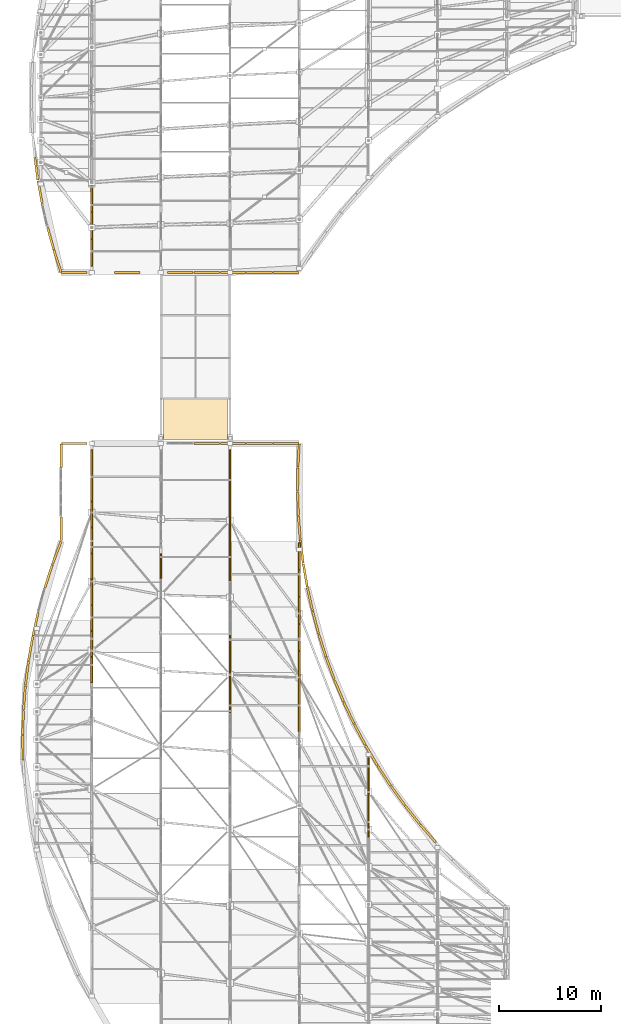
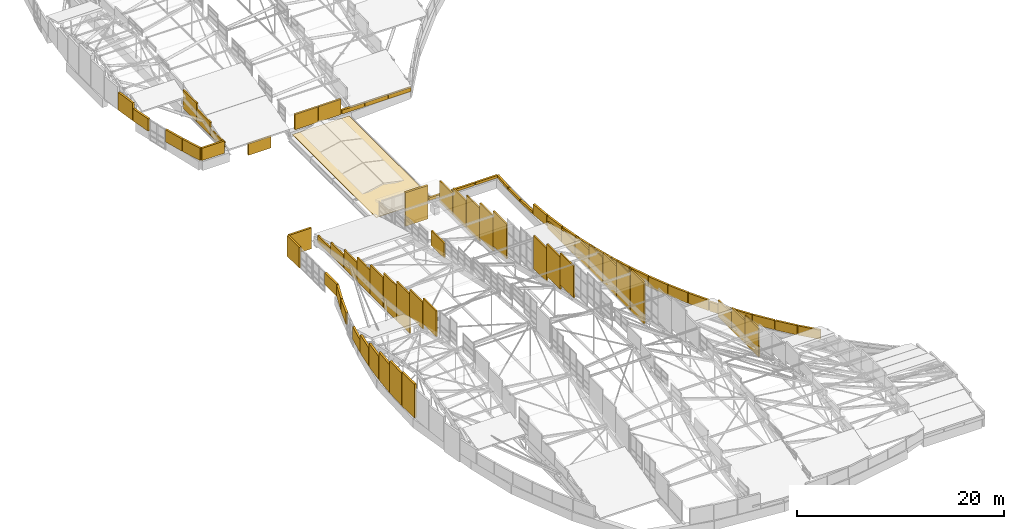
# One storey, part 182 of 188: 76 coverings.
"""IFC4 building model written with IfcOpenShell, lengths in metres."""

from ifc_helpers import new_model, si_unit, direction, frame, origin, origin_2d, place, context, subcontext, project, spatial, polyline, rectangle, outline, extrude, material, layer, layer_set, type_object, element, save


model = new_model("IFC4")

# Units and contexts
model_context = context("Model", 3, precision=1e-05, world=origin(), true_north=direction((0.0, 1.0)))
body_context = subcontext(model_context, "Body", "Model", "MODEL_VIEW")
ifc_project = project(units=[si_unit("LENGTHUNIT", "METRE"), si_unit("AREAUNIT", "SQUARE_METRE"), si_unit("VOLUMEUNIT", "CUBIC_METRE"), si_unit("PLANEANGLEUNIT", "RADIAN"), si_unit("MASSUNIT", "GRAM", prefix="KILO")], contexts=[model_context])

# Site, building, storey
site_placement = place(None, origin())
site = spatial("IfcSite", under=ifc_project, at=site_placement, CompositionType="ELEMENT")
building_placement = place(site_placement, origin())
building = spatial("IfcBuilding", under=site, at=building_placement, Name="Kisaragi Civic Commons", CompositionType="ELEMENT")
storey_placement = place(building_placement, frame((0.0, 0.0, 9.60009765625)))
storey = spatial("IfcBuildingStorey", under=building, at=storey_placement, Name="L02", CompositionType="ELEMENT", Elevation=9.60009765625)

# Coverings
ifc_material_1 = material(Name="Extruded Tokoname terracotta rainscreen tile", Category="masonry")
ifc_layer_1 = layer(ifc_material_1, 0.0400390625, Name="Extruded Tokoname terracotta rainscreen tile", Category="masonry")
ifc_layer_set_1 = layer_set([ifc_layer_1], Name="Extruded Tokoname terracotta rainscreen tile")
covering_type_1 = type_object("IfcCoveringType", Name="CLD-01", PredefinedType="CLADDING", material=ifc_layer_set_1)
covering_1_placement = place(storey_placement, frame((6.800048828125, 40.147216796875, 2.28466796875), z_axis=(0.0, 0.0, 1.0), x_axis=(0.0, 1.0, 0.0)))
element("IfcCovering", 1, at=covering_1_placement, inside=storey, type_object=covering_type_1, Name="V1 L02 wave-step terracotta tympanum cladding 9", PredefinedType="CLADDING", context=body_context, shape_type="SweptSolid", body=[
    extrude(rectangle(XDim=2.52001953125, YDim=0.159912109375, at=origin_2d()), origin(), (0.0, 0.0, 1.0), 3.014404296875),
])
covering_2_placement = place(storey_placement, frame((6.800048828125, 42.691162109375, 1.63330078125), z_axis=(0.0, 0.0, 1.0), x_axis=(0.0, 1.0, 0.0)))
element("IfcCovering", 2, at=covering_2_placement, inside=storey, type_object=covering_type_1, Name="V1 L02 wave-step terracotta tympanum cladding 10", PredefinedType="CLADDING", context=body_context, shape_type="SweptSolid", body=[
    extrude(rectangle(XDim=2.52001953125, YDim=0.159912109375, at=origin_2d()), origin(), (0.0, 0.0, 1.0), 3.148193359375),
])
covering_3_placement = place(storey_placement, frame((6.800048828125, 45.23486328125, -0.419921875), z_axis=(0.0, 0.0, 1.0), x_axis=(0.0, 1.0, 0.0)))
element("IfcCovering", 3, at=covering_3_placement, inside=storey, type_object=covering_type_1, Name="V1 L02 wave-step terracotta tympanum cladding 11", PredefinedType="CLADDING", context=body_context, shape_type="SweptSolid", body=[
    extrude(rectangle(XDim=2.519775390625, YDim=0.159912109375, at=origin_2d()), origin(), (0.0, 0.0, 1.0), 4.637451171875),
])
covering_4_placement = place(storey_placement, frame((6.800048828125, 47.77880859375, -0.419921875), z_axis=(0.0, 0.0, 1.0), x_axis=(0.0, 1.0, 0.0)))
element("IfcCovering", 4, at=covering_4_placement, inside=storey, type_object=covering_type_1, Name="V1 L02 wave-step terracotta tympanum cladding 12", PredefinedType="CLADDING", context=body_context, shape_type="SweptSolid", body=[
    extrude(rectangle(XDim=2.52001953125, YDim=0.159912109375, at=origin_2d()), origin(), (0.0, 0.0, 1.0), 4.073486328125),
])
covering_5_placement = place(storey_placement, frame((6.800048828125, 50.322509765625, -0.419921875), z_axis=(0.0, 0.0, 1.0), x_axis=(0.0, 1.0, 0.0)))
element("IfcCovering", 5, at=covering_5_placement, inside=storey, type_object=covering_type_1, Name="V1 L02 wave-step terracotta tympanum cladding 13", PredefinedType="CLADDING", context=body_context, shape_type="SweptSolid", body=[
    extrude(rectangle(XDim=2.519775390625, YDim=0.159912109375, at=origin_2d()), origin(), (0.0, 0.0, 1.0), 3.466064453125),
])
covering_6_placement = place(storey_placement, frame((6.800048828125, 52.866455078125, -0.419921875), z_axis=(0.0, 0.0, 1.0), x_axis=(0.0, 1.0, 0.0)))
element("IfcCovering", 6, at=covering_6_placement, inside=storey, type_object=covering_type_1, Name="V1 L02 wave-step terracotta tympanum cladding 14", PredefinedType="CLADDING", context=body_context, shape_type="SweptSolid", body=[
    extrude(rectangle(XDim=2.52001953125, YDim=0.159912109375, at=origin_2d()), origin(), (0.0, 0.0, 1.0), 2.831787109375),
])
covering_7_placement = place(storey_placement, frame((6.800048828125, 55.410400390625, -0.419921875), z_axis=(0.0, 0.0, 1.0), x_axis=(0.0, 1.0, 0.0)))
element("IfcCovering", 7, at=covering_7_placement, inside=storey, type_object=covering_type_1, Name="V1 L02 wave-step terracotta tympanum cladding 15", PredefinedType="CLADDING", context=body_context, shape_type="SweptSolid", body=[
    extrude(rectangle(XDim=2.52001953125, YDim=0.159912109375, at=origin_2d()), origin(), (0.0, 0.0, 1.0), 2.197509765625),
])
covering_8_placement = place(storey_placement, frame((6.800048828125, 57.9541015625, -0.419921875), z_axis=(0.0, 0.0, 1.0), x_axis=(0.0, 1.0, 0.0)))
element("IfcCovering", 8, at=covering_8_placement, inside=storey, type_object=covering_type_1, Name="V1 L02 wave-step terracotta tympanum cladding 16", PredefinedType="CLADDING", context=body_context, shape_type="SweptSolid", body=[
    extrude(rectangle(XDim=2.519775390625, YDim=0.159912109375, at=origin_2d()), origin(), (0.0, 0.0, 1.0), 1.499267578125),
])
covering_9_placement = place(storey_placement, frame((6.800048828125, 60.498046875, -0.420166015625), z_axis=(0.0, 0.0, 1.0), x_axis=(0.0, 1.0, 0.0)))
element("IfcCovering", 9, at=covering_9_placement, inside=storey, type_object=covering_type_1, Name="V1 L02 wave-step terracotta tympanum cladding 17", PredefinedType="CLADDING", context=body_context, shape_type="SweptSolid", body=[
    extrude(rectangle(XDim=2.52001953125, YDim=0.159912109375, at=origin_2d()), origin(), (0.0, 0.0, 1.0), 0.7939453125),
])
covering_10_placement = place(storey_placement, frame((13.60009765625, 50.319580078125, 2.98681640625), z_axis=(0.0, 0.0, 1.0), x_axis=(0.0, 1.0, 0.0)))
element("IfcCovering", 10, at=covering_10_placement, inside=storey, type_object=covering_type_1, Name="V1 L02 wave-step terracotta tympanum cladding 24", PredefinedType="CLADDING", context=body_context, shape_type="SweptSolid", body=[
    extrude(rectangle(XDim=2.5205078125, YDim=0.159912109375, at=origin_2d()), origin(), (0.0, 0.0, 1.0), 1.74365234375),
])
covering_11_placement = place(storey_placement, frame((20.39990234375, 37.16064453125, 3.927734375), z_axis=(0.0, 0.0, 1.0), x_axis=(0.0, 1.0, 0.0)))
element("IfcCovering", 11, at=covering_11_placement, inside=storey, type_object=covering_type_1, Name="V1 L02 wave-step terracotta tympanum cladding 29", PredefinedType="CLADDING", context=body_context, shape_type="SweptSolid", body=[
    extrude(rectangle(XDim=2.56640625, YDim=0.159912109375, at=origin_2d()), origin(), (0.0, 0.0, 1.0), 3.725341796875),
])
covering_12_placement = place(storey_placement, frame((20.39990234375, 39.7509765625, 3.35302734375), z_axis=(0.0, 0.0, 1.0), x_axis=(0.0, 1.0, 0.0)))
element("IfcCovering", 12, at=covering_12_placement, inside=storey, type_object=covering_type_1, Name="V1 L02 wave-step terracotta tympanum cladding 30", PredefinedType="CLADDING", context=body_context, shape_type="SweptSolid", body=[
    extrude(rectangle(XDim=2.56640625, YDim=0.159912109375, at=origin_2d()), origin(), (0.0, 0.0, 1.0), 3.796142578125),
])
covering_13_placement = place(storey_placement, frame((20.39990234375, 42.341552734375, 2.7109375), z_axis=(0.0, 0.0, 1.0), x_axis=(0.0, 1.0, 0.0)))
element("IfcCovering", 13, at=covering_13_placement, inside=storey, type_object=covering_type_1, Name="V1 L02 wave-step terracotta tympanum cladding 31", PredefinedType="CLADDING", context=body_context, shape_type="SweptSolid", body=[
    extrude(rectangle(XDim=2.56640625, YDim=0.159912109375, at=origin_2d()), origin(), (0.0, 0.0, 1.0), 3.86767578125),
])
covering_14_placement = place(storey_placement, frame((20.39990234375, 50.11279296875, 0.66748046875), z_axis=(0.0, 0.0, 1.0), x_axis=(0.0, 1.0, 0.0)))
element("IfcCovering", 14, at=covering_14_placement, inside=storey, type_object=covering_type_1, Name="V1 L02 wave-step terracotta tympanum cladding 32", PredefinedType="CLADDING", context=body_context, shape_type="SweptSolid", body=[
    extrude(rectangle(XDim=2.56640625, YDim=0.159912109375, at=origin_2d()), origin(), (0.0, 0.0, 1.0), 4.114501953125),
])
covering_15_placement = place(storey_placement, frame((20.39990234375, 52.703369140625, 0.0048828125), z_axis=(0.0, 0.0, 1.0), x_axis=(0.0, 1.0, 0.0)))
element("IfcCovering", 15, at=covering_15_placement, inside=storey, type_object=covering_type_1, Name="V1 L02 wave-step terracotta tympanum cladding 33", PredefinedType="CLADDING", context=body_context, shape_type="SweptSolid", body=[
    extrude(rectangle(XDim=2.56640625, YDim=0.159912109375, at=origin_2d()), origin(), (0.0, 0.0, 1.0), 4.131103515625),
])
covering_16_placement = place(storey_placement, frame((20.39990234375, 55.293701171875, -0.420166015625), z_axis=(0.0, 0.0, 1.0), x_axis=(0.0, 1.0, 0.0)))
element("IfcCovering", 16, at=covering_16_placement, inside=storey, type_object=covering_type_1, Name="V1 L02 wave-step terracotta tympanum cladding 34", PredefinedType="CLADDING", context=body_context, shape_type="SweptSolid", body=[
    extrude(rectangle(XDim=2.56640625, YDim=0.159912109375, at=origin_2d()), origin(), (0.0, 0.0, 1.0), 3.90234375),
])
covering_17_placement = place(storey_placement, frame((20.39990234375, 57.88427734375, -0.420166015625), z_axis=(0.0, 0.0, 1.0), x_axis=(0.0, 1.0, 0.0)))
element("IfcCovering", 17, at=covering_17_placement, inside=storey, type_object=covering_type_1, Name="V1 L02 wave-step terracotta tympanum cladding 35", PredefinedType="CLADDING", context=body_context, shape_type="SweptSolid", body=[
    extrude(rectangle(XDim=2.56640625, YDim=0.159912109375, at=origin_2d()), origin(), (0.0, 0.0, 1.0), 3.18408203125),
])
covering_18_placement = place(storey_placement, frame((20.39990234375, 60.474853515625, -0.419921875), z_axis=(0.0, 0.0, 1.0), x_axis=(0.0, 1.0, 0.0)))
element("IfcCovering", 18, at=covering_18_placement, inside=storey, type_object=covering_type_1, Name="V1 L02 wave-step terracotta tympanum cladding 36", PredefinedType="CLADDING", context=body_context, shape_type="SweptSolid", body=[
    extrude(rectangle(XDim=2.56640625, YDim=0.159912109375, at=origin_2d()), origin(), (0.0, 0.0, 1.0), 2.465576171875),
])
covering_19_placement = place(storey_placement, frame((27.199951171875, 35.337646484375, -0.419921875), z_axis=(0.0, 0.0, 1.0), x_axis=(0.0, 1.0, 0.0)))
element("IfcCovering", 19, at=covering_19_placement, inside=storey, type_object=covering_type_1, Name="V1 L02 wave-step terracotta tympanum cladding 43", PredefinedType="CLADDING", context=body_context, shape_type="SweptSolid", body=[
    extrude(rectangle(XDim=2.640380859375, YDim=0.159912109375, at=origin_2d()), origin(), (0.0, 0.0, 1.0), 4.811767578125),
])
covering_20_placement = place(storey_placement, frame((27.199951171875, 38.001953125, -0.420166015625), z_axis=(0.0, 0.0, 1.0), x_axis=(0.0, 1.0, 0.0)))
element("IfcCovering", 20, at=covering_20_placement, inside=storey, type_object=covering_type_1, Name="V1 L02 wave-step terracotta tympanum cladding 44", PredefinedType="CLADDING", context=body_context, shape_type="SweptSolid", body=[
    extrude(rectangle(XDim=2.640380859375, YDim=0.159912109375, at=origin_2d()), origin(), (0.0, 0.0, 1.0), 4.22119140625),
])
covering_21_placement = place(storey_placement, frame((27.199951171875, 40.66650390625, -0.419921875), z_axis=(0.0, 0.0, 1.0), x_axis=(0.0, 1.0, 0.0)))
element("IfcCovering", 21, at=covering_21_placement, inside=storey, type_object=covering_type_1, Name="V1 L02 wave-step terracotta tympanum cladding 45", PredefinedType="CLADDING", context=body_context, shape_type="SweptSolid", body=[
    extrude(rectangle(XDim=2.640380859375, YDim=0.159912109375, at=origin_2d()), origin(), (0.0, 0.0, 1.0), 3.608642578125),
])
covering_22_placement = place(storey_placement, frame((27.199951171875, 43.330810546875, -0.420166015625), z_axis=(0.0, 0.0, 1.0), x_axis=(0.0, 1.0, 0.0)))
element("IfcCovering", 22, at=covering_22_placement, inside=storey, type_object=covering_type_1, Name="V1 L02 wave-step terracotta tympanum cladding 46", PredefinedType="CLADDING", context=body_context, shape_type="SweptSolid", body=[
    extrude(rectangle(XDim=2.640380859375, YDim=0.159912109375, at=origin_2d()), origin(), (0.0, 0.0, 1.0), 2.9443359375),
])
covering_23_placement = place(storey_placement, frame((27.199951171875, 45.995361328125, -0.419921875), z_axis=(0.0, 0.0, 1.0), x_axis=(0.0, 1.0, 0.0)))
element("IfcCovering", 23, at=covering_23_placement, inside=storey, type_object=covering_type_1, Name="V1 L02 wave-step terracotta tympanum cladding 47", PredefinedType="CLADDING", context=body_context, shape_type="SweptSolid", body=[
    extrude(rectangle(XDim=2.640380859375, YDim=0.159912109375, at=origin_2d()), origin(), (0.0, 0.0, 1.0), 2.280029296875),
])
covering_24_placement = place(storey_placement, frame((27.199951171875, 48.659912109375, -0.42041015625), z_axis=(0.0, 0.0, 1.0), x_axis=(0.0, 1.0, 0.0)))
element("IfcCovering", 24, at=covering_24_placement, inside=storey, type_object=covering_type_1, Name="V1 L02 wave-step terracotta tympanum cladding 48", PredefinedType="CLADDING", context=body_context, shape_type="SweptSolid", body=[
    extrude(rectangle(XDim=2.640380859375, YDim=0.159912109375, at=origin_2d()), origin(), (0.0, 0.0, 1.0), 1.550537109375),
])
covering_25_placement = place(storey_placement, frame((27.199951171875, 51.32421875, -0.420166015625), z_axis=(0.0, 0.0, 1.0), x_axis=(0.0, 1.0, 0.0)))
element("IfcCovering", 25, at=covering_25_placement, inside=storey, type_object=covering_type_1, Name="V1 L02 wave-step terracotta tympanum cladding 49", PredefinedType="CLADDING", context=body_context, shape_type="SweptSolid", body=[
    extrude(rectangle(XDim=2.640380859375, YDim=0.159912109375, at=origin_2d()), origin(), (0.0, 0.0, 1.0), 0.8115234375),
])
covering_26_placement = place(storey_placement, frame((34.0, 24.99755859375, -0.419921875), z_axis=(0.0, 0.0, 1.0), x_axis=(0.0, 1.0, 0.0)))
element("IfcCovering", 26, at=covering_26_placement, inside=storey, type_object=covering_type_1, Name="V1 L02 wave-step terracotta tympanum cladding 58", PredefinedType="CLADDING", context=body_context, shape_type="SweptSolid", body=[
    extrude(rectangle(XDim=2.59130859375, YDim=0.159912109375, at=origin_2d()), origin(), (0.0, 0.0, 1.0), 3.330322265625),
])
covering_27_placement = place(storey_placement, frame((34.0, 27.61279296875, -0.420166015625), z_axis=(0.0, 0.0, 1.0), x_axis=(0.0, 1.0, 0.0)))
element("IfcCovering", 27, at=covering_27_placement, inside=storey, type_object=covering_type_1, Name="V1 L02 wave-step terracotta tympanum cladding 59", PredefinedType="CLADDING", context=body_context, shape_type="SweptSolid", body=[
    extrude(rectangle(XDim=2.591552734375, YDim=0.159912109375, at=origin_2d()), origin(), (0.0, 0.0, 1.0), 2.67822265625),
])
covering_28_placement = place(storey_placement, frame((34.0, 30.228515625, -0.420166015625), z_axis=(0.0, 0.0, 1.0), x_axis=(0.0, 1.0, 0.0)))
element("IfcCovering", 28, at=covering_28_placement, inside=storey, type_object=covering_type_1, Name="V1 L02 wave-step terracotta tympanum cladding 60", PredefinedType="CLADDING", context=body_context, shape_type="SweptSolid", body=[
    extrude(rectangle(XDim=2.591552734375, YDim=0.159912109375, at=origin_2d()), origin(), (0.0, 0.0, 1.0), 1.984375),
])
for number, where, z_axis, x_axis, name in (
    (29, (27.1318359375, 61.2177734375, -0.32421875), (0.0, 0.0, 1.0), (-0.05756402696, -0.998341816614, 0.0), "V1 L02 curved terracotta gable cladding 68"),
    (30, (27.04931640625, 58.8515625, -0.32421875), (0.0, 0.0, 1.0), (-0.01204248075, -0.9999274867, 0.0), "V1 L02 curved terracotta gable cladding 69"),
    (31, (27.07470703125, 56.48388671875, -0.32421875), (0.0, 0.0, 1.0), (0.033504050301, -0.999438581711, 0.0), "V1 L02 curved terracotta gable cladding 70"),
):
    element("IfcCovering", number, at=place(storey_placement, frame(where, z_axis=z_axis, x_axis=x_axis)), inside=storey, type_object=covering_type_1, Name=name, PredefinedType="CLADDING", context=body_context, shape_type="SweptSolid", body=[
        extrude(rectangle(XDim=2.288330078125, YDim=0.219970703125, at=origin_2d()), origin(), (0.0, 0.0, 1.0), 0.30419921875),
    ])
for number, where, z_axis, x_axis, name in (
    (32, (27.2080078125, 54.119873046875, -0.32421875), (0.0, 0.0, 1.0), (0.078981069644, -0.996876115993, 0.0), "V1 L02 curved terracotta gable cladding 71"),
    (33, (27.448486328125, 51.764404296875, -0.32421875), (0.0, 0.0, 1.0), (0.124294224947, -0.992245405958, 0.0), "V1 L02 curved terracotta gable cladding 72"),
    (34, (27.79638671875, 49.42236328125, -0.32421875), (0.0, 0.0, 1.0), (0.169349503849, -0.985556059058, 0.0), "V1 L02 curved terracotta gable cladding 73"),
    (35, (28.250244140625, 47.0986328125, -0.32421875), (0.0, 0.0, 1.0), (0.214053429014, -0.976821953852, 0.0), "V1 L02 curved terracotta gable cladding 74"),
):
    element("IfcCovering", number, at=place(storey_placement, frame(where, z_axis=z_axis, x_axis=x_axis)), inside=storey, type_object=covering_type_1, Name=name, PredefinedType="CLADDING", context=body_context, shape_type="SweptSolid", body=[
        extrude(rectangle(XDim=2.288330078125, YDim=0.219970703125, at=origin_2d()), origin(), (0.0, 0.0, 1.0), 1.219482421875),
    ])
covering_29_placement = place(storey_placement, frame((28.8095703125, 44.7978515625, -0.32421875), z_axis=(0.0, 0.0, 1.0), x_axis=(0.258313252067, -0.966061211211, 0.0)))
element("IfcCovering", 36, at=covering_29_placement, inside=storey, type_object=covering_type_1, Name="V1 L02 curved terracotta gable cladding 75", PredefinedType="CLADDING", context=body_context, shape_type="SweptSolid", body=[
    extrude(rectangle(XDim=2.28857421875, YDim=0.219970703125, at=origin_2d()), origin(), (0.0, 0.0, 1.0), 1.219482421875),
])
covering_30_placement = place(storey_placement, frame((29.472900390625, 42.52490234375, -0.32421875), z_axis=(0.0, 0.0, 1.0), x_axis=(0.302037146025, -0.953296156722, 0.0)))
element("IfcCovering", 37, at=covering_30_placement, inside=storey, type_object=covering_type_1, Name="V1 L02 curved terracotta gable cladding 76", PredefinedType="CLADDING", context=body_context, shape_type="SweptSolid", body=[
    extrude(rectangle(XDim=2.288330078125, YDim=0.219970703125, at=origin_2d()), origin(), (0.0, 0.0, 1.0), 1.219482421875),
])
covering_31_placement = place(storey_placement, frame((30.2392578125, 40.28466796875, -0.32421875), z_axis=(0.0, 0.0, 1.0), x_axis=(0.345134395808, -0.93855327437, 0.0)))
element("IfcCovering", 38, at=covering_31_placement, inside=storey, type_object=covering_type_1, Name="V1 L02 curved terracotta gable cladding 77", PredefinedType="CLADDING", context=body_context, shape_type="SweptSolid", body=[
    extrude(rectangle(XDim=2.28857421875, YDim=0.219970703125, at=origin_2d()), origin(), (0.0, 0.0, 1.0), 1.219482421875),
])
for number, where, z_axis, x_axis, name in (
    (39, (31.106689453125, 38.08154296875, -0.32421875), (0.0, 0.0, 1.0), (0.387515586452, -0.921863151589, 0.0), "V1 L02 curved terracotta gable cladding 78"),
    (40, (32.07373046875, 35.920166015625, -0.32421875), (0.0, 0.0, 1.0), (0.428935133403, -0.903335292863, 0.0), "V1 L02 curved terracotta gable cladding 79"),
    (41, (33.137939453125, 33.80517578125, -0.32421875), (0.0, 0.0, 1.0), (0.46977974103, -0.88278366258, 0.0), "V1 L02 curved terracotta gable cladding 80"),
):
    element("IfcCovering", number, at=place(storey_placement, frame(where, z_axis=z_axis, x_axis=x_axis)), inside=storey, type_object=covering_type_1, Name=name, PredefinedType="CLADDING", context=body_context, shape_type="SweptSolid", body=[
        extrude(rectangle(XDim=2.288330078125, YDim=0.219970703125, at=origin_2d()), origin(), (0.0, 0.0, 1.0), 1.219482421875),
    ])
for number, where, z_axis, x_axis, name in (
    (42, (34.29736328125, 31.74072265625, -0.32421875), (0.0, 0.0, 1.0), (0.509341840379, -0.860564285593, 0.0), "V1 L02 curved terracotta gable cladding 81"),
    (43, (35.5498046875, 29.731201171875, -0.32421875), (0.0, 0.0, 1.0), (0.548147261701, -0.836381838331, 0.0), "V1 L02 curved terracotta gable cladding 82"),
    (44, (36.892333984375, 27.781005859375, -0.32421875), (0.0, 0.0, 1.0), (0.585665238866, -0.810553038353, 0.0), "V1 L02 curved terracotta gable cladding 83"),
    (45, (38.322265625, 25.893798828125, -0.32421875), (0.0, 0.0, 1.0), (0.621968121415, -0.783042563302, 0.0), "V1 L02 curved terracotta gable cladding 84"),
):
    element("IfcCovering", number, at=place(storey_placement, frame(where, z_axis=z_axis, x_axis=x_axis)), inside=storey, type_object=covering_type_1, Name=name, PredefinedType="CLADDING", context=body_context, shape_type="SweptSolid", body=[
        extrude(rectangle(XDim=2.288330078125, YDim=0.219970703125, at=origin_2d()), origin(), (0.0, 0.0, 1.0), 1.09033203125),
    ])
covering_32_placement = place(storey_placement, frame((39.836669921875, 24.07373046875, -0.32421875), z_axis=(0.0, 0.0, 1.0), x_axis=(0.656980590831, -0.753907489863, 0.0)))
element("IfcCovering", 46, at=covering_32_placement, inside=storey, type_object=covering_type_1, Name="V1 L02 curved terracotta gable cladding 85", PredefinedType="CLADDING", context=body_context, shape_type="SweptSolid", body=[
    extrude(rectangle(XDim=2.2880859375, YDim=0.219970703125, at=origin_2d()), origin(), (0.0, 0.0, 1.0), 1.09033203125),
])
covering_33_placement = place(storey_placement, frame((0.032470703125, 32.49951171875, -0.32421875), z_axis=(0.0, 0.0, 1.0), x_axis=(-0.015707317312, 0.999876632482, 0.0)))
element("IfcCovering", 47, at=covering_33_placement, inside=storey, type_object=covering_type_1, Name="V1 L02 curved terracotta gable cladding 119", PredefinedType="CLADDING", context=body_context, shape_type="SweptSolid", body=[
    extrude(rectangle(XDim=2.365478515625, YDim=0.219970703125, at=origin_2d()), origin(), (0.0, 0.0, 1.0), 3.964599609375),
])
covering_34_placement = place(storey_placement, frame((0.051513671875, 34.944091796875, -0.32421875), z_axis=(0.0, 0.0, 1.0), x_axis=(0.031236311797, 0.999512027354, 0.0)))
element("IfcCovering", 48, at=covering_34_placement, inside=storey, type_object=covering_type_1, Name="V1 L02 curved terracotta gable cladding 120", PredefinedType="CLADDING", context=body_context, shape_type="SweptSolid", body=[
    extrude(rectangle(XDim=2.365478515625, YDim=0.219970703125, at=origin_2d()), origin(), (0.0, 0.0, 1.0), 3.806396484375),
])
covering_35_placement = place(storey_placement, frame((0.185546875, 37.385498046875, -0.32421875), z_axis=(0.0, 0.0, 1.0), x_axis=(0.078285099635, 0.996931012245, 0.0)))
element("IfcCovering", 49, at=covering_35_placement, inside=storey, type_object=covering_type_1, Name="V1 L02 curved terracotta gable cladding 121", PredefinedType="CLADDING", context=body_context, shape_type="SweptSolid", body=[
    extrude(rectangle(XDim=2.365478515625, YDim=0.219970703125, at=origin_2d()), origin(), (0.0, 0.0, 1.0), 3.300537109375),
])
covering_36_placement = place(storey_placement, frame((0.43408203125, 39.8173828125, -0.32421875), z_axis=(0.0, 0.0, 1.0), x_axis=(0.125160074975, 0.992136560979, 0.0)))
element("IfcCovering", 50, at=covering_36_placement, inside=storey, type_object=covering_type_1, Name="V1 L02 curved terracotta gable cladding 122", PredefinedType="CLADDING", context=body_context, shape_type="SweptSolid", body=[
    extrude(rectangle(XDim=2.365478515625, YDim=0.219970703125, at=origin_2d()), origin(), (0.0, 0.0, 1.0), 2.742919921875),
])
covering_37_placement = place(storey_placement, frame((0.796875, 42.235107421875, -0.32421875), z_axis=(0.0, 0.0, 1.0), x_axis=(0.171585221787, 0.985169280715, 0.0)))
element("IfcCovering", 51, at=covering_37_placement, inside=storey, type_object=covering_type_1, Name="V1 L02 curved terracotta gable cladding 123", PredefinedType="CLADDING", context=body_context, shape_type="SweptSolid", body=[
    extrude(rectangle(XDim=2.365478515625, YDim=0.219970703125, at=origin_2d()), origin(), (0.0, 0.0, 1.0), 2.1357421875),
])
covering_38_placement = place(storey_placement, frame((1.27294921875, 44.633056640625, -0.323974609375), z_axis=(0.0, 0.0, 1.0), x_axis=(0.217632222696, 0.976030847691, 0.0)))
element("IfcCovering", 52, at=covering_38_placement, inside=storey, type_object=covering_type_1, Name="V1 L02 curved terracotta gable cladding 124", PredefinedType="CLADDING", context=body_context, shape_type="SweptSolid", body=[
    extrude(rectangle(XDim=2.365478515625, YDim=0.219970703125, at=origin_2d()), origin(), (0.0, 0.0, 1.0), 1.470703125),
])
covering_39_placement = place(storey_placement, frame((2.560302734375, 49.3486328125, -0.32421875), z_axis=(0.0, 0.0, 1.0), x_axis=(0.308518980011, 0.951218186839, 0.0)))
element("IfcCovering", 53, at=covering_39_placement, inside=storey, type_object=covering_type_1, Name="V1 L02 curved terracotta gable cladding 125", PredefinedType="CLADDING", context=body_context, shape_type="SweptSolid", body=[
    extrude(rectangle(XDim=2.365234375, YDim=0.219970703125, at=origin_2d()), origin(), (0.0, 0.0, 1.0), 1.37109375),
])
covering_40_placement = place(storey_placement, frame((3.36865234375, 51.656005859375, -0.32421875), z_axis=(0.0, 0.0, 1.0), x_axis=(0.35282169456, 0.935690574842, 0.0)))
element("IfcCovering", 54, at=covering_40_placement, inside=storey, type_object=covering_type_1, Name="V1 L02 curved terracotta gable cladding 126", PredefinedType="CLADDING", context=body_context, shape_type="SweptSolid", body=[
    extrude(rectangle(XDim=2.365478515625, YDim=0.219970703125, at=origin_2d()), origin(), (0.0, 0.0, 1.0), 1.37109375),
])
covering_41_placement = place(storey_placement, frame((3.800048828125, 54.0, -0.32421875), z_axis=(0.0, 0.0, 1.0), x_axis=(0.0, 1.0, 0.0)))
element("IfcCovering", 55, at=covering_41_placement, inside=storey, type_object=covering_type_1, Name="V1 L02 curved terracotta gable cladding 127", PredefinedType="CLADDING", context=body_context, shape_type="SweptSolid", body=[
    extrude(rectangle(XDim=2.320068359375, YDim=0.219970703125, at=origin_2d()), origin(), (0.0, 0.0, 1.0), 1.37109375),
])
covering_42_placement = place(storey_placement, frame((3.800048828125, 61.199951171875, -1.39892578125), z_axis=(0.0, 0.0, 1.0), x_axis=(0.0, 1.0, 0.0)))
element("IfcCovering", 56, at=covering_42_placement, inside=storey, type_object=covering_type_1, Name="V1 L02 curved terracotta gable cladding 128", PredefinedType="CLADDING", context=body_context, shape_type="SweptSolid", body=[
    extrude(rectangle(XDim=2.320068359375, YDim=0.219970703125, at=origin_2d()), origin(), (0.0, 0.0, 1.0), 2.446044921875),
])
covering_43_placement = place(storey_placement, frame((5.10009765625, 62.39990234375, -1.39892578125), z_axis=(0.0, 0.0, 1.0), x_axis=(1.0, 0.0, 0.0)))
element("IfcCovering", 57, at=covering_43_placement, inside=storey, type_object=covering_type_1, Name="V1 L02 curved terracotta gable cladding 129", PredefinedType="CLADDING", context=body_context, shape_type="SweptSolid", body=[
    extrude(rectangle(XDim=2.52001953125, YDim=0.219970703125, at=origin_2d()), origin(), (0.0, 0.0, 1.0), 2.446044921875),
])
covering_44_placement = place(storey_placement, frame((18.10009765625, 62.39990234375, -2.43408203125), z_axis=(0.0, 0.0, 1.0), x_axis=(1.0, 0.0, 0.0)))
element("IfcCovering", 58, at=covering_44_placement, inside=storey, type_object=covering_type_1, Name="V1 L02 curved terracotta gable cladding 130", PredefinedType="CLADDING", context=body_context, shape_type="SweptSolid", body=[
    extrude(rectangle(XDim=2.52001953125, YDim=0.219970703125, at=origin_2d()), origin(), (0.0, 0.0, 1.0), 3.937744140625),
])
for number, where, z_axis, x_axis, name in (
    (59, (20.699951171875, 62.39990234375, -0.32421875), (0.0, 0.0, 1.0), (1.0, 0.0, 0.0), "V1 L02 curved terracotta gable cladding 131"),
    (60, (23.300048828125, 62.39990234375, -0.32421875), (0.0, 0.0, 1.0), (1.0, 0.0, 0.0), "V1 L02 curved terracotta gable cladding 132"),
    (61, (25.89990234375, 62.39990234375, -0.32421875), (0.0, 0.0, 1.0), (1.0, 0.0, 0.0), "V1 L02 curved terracotta gable cladding 133"),
):
    element("IfcCovering", number, at=place(storey_placement, frame(where, z_axis=z_axis, x_axis=x_axis)), inside=storey, type_object=covering_type_1, Name=name, PredefinedType="CLADDING", context=body_context, shape_type="SweptSolid", body=[
        extrude(rectangle(XDim=2.52001953125, YDim=0.219970703125, at=origin_2d()), origin(), (0.0, 0.0, 1.0), 0.30419921875),
    ])
covering_45_placement = place(storey_placement, frame((6.800048828125, 81.153076171875, -0.420166015625), z_axis=(0.0, 0.0, 1.0), x_axis=(0.0, 1.0, 0.0)))
element("IfcCovering", 62, at=covering_45_placement, inside=storey, type_object=covering_type_1, Name="V2 L02 wave-step terracotta tympanum cladding 134", PredefinedType="CLADDING", context=body_context, shape_type="SweptSolid", body=[
    extrude(rectangle(XDim=2.622314453125, YDim=0.159912109375, at=origin_2d()), origin(), (0.0, 0.0, 1.0), 0.79931640625),
])
covering_46_placement = place(storey_placement, frame((6.800048828125, 83.79931640625, -0.420166015625), z_axis=(0.0, 0.0, 1.0), x_axis=(0.0, 1.0, 0.0)))
element("IfcCovering", 63, at=covering_46_placement, inside=storey, type_object=covering_type_1, Name="V2 L02 wave-step terracotta tympanum cladding 135", PredefinedType="CLADDING", context=body_context, shape_type="SweptSolid", body=[
    extrude(rectangle(XDim=2.622314453125, YDim=0.159912109375, at=origin_2d()), origin(), (0.0, 0.0, 1.0), 1.52685546875),
])
covering_47_placement = place(storey_placement, frame((6.800048828125, 86.445556640625, -0.420166015625), z_axis=(0.0, 0.0, 1.0), x_axis=(0.0, 1.0, 0.0)))
element("IfcCovering", 64, at=covering_47_placement, inside=storey, type_object=covering_type_1, Name="V2 L02 wave-step terracotta tympanum cladding 136", PredefinedType="CLADDING", context=body_context, shape_type="SweptSolid", body=[
    extrude(rectangle(XDim=2.622314453125, YDim=0.159912109375, at=origin_2d()), origin(), (0.0, 0.0, 1.0), 2.1865234375),
])
for number, where, z_axis, x_axis, name in (
    (65, (2.765380859375, 82.548583984375, -0.323974609375), (0.0, 0.0, 1.0), (-0.266397348219, 0.963863295733, 0.0), "V2 L02 curved terracotta gable cladding 171"),
    (66, (1.72412109375, 87.103271484375, -0.323974609375), (0.0, 0.0, 1.0), (-0.178802215116, 0.983885037934, 0.0), "V2 L02 curved terracotta gable cladding 172"),
):
    element("IfcCovering", number, at=place(storey_placement, frame(where, z_axis=z_axis, x_axis=x_axis)), inside=storey, type_object=covering_type_1, Name=name, PredefinedType="CLADDING", context=body_context, shape_type="SweptSolid", body=[
        extrude(rectangle(XDim=2.257080078125, YDim=0.219970703125, at=origin_2d()), origin(), (0.0, 0.0, 1.0), 1.4443359375),
    ])
covering_48_placement = place(storey_placement, frame((1.358154296875, 89.410888671875, -0.32421875), z_axis=(0.0, 0.0, 1.0), x_axis=(-0.134332095642, 0.99093636934, 0.0)))
element("IfcCovering", 67, at=covering_48_placement, inside=storey, type_object=covering_type_1, Name="V2 L02 curved terracotta gable cladding 173", PredefinedType="CLADDING", context=body_context, shape_type="SweptSolid", body=[
    extrude(rectangle(XDim=2.257080078125, YDim=0.219970703125, at=origin_2d()), origin(), (0.0, 0.0, 1.0), 2.080810546875),
])
for number, where, z_axis, x_axis, name in (
    (68, (25.89990234375, 79.199951171875, -0.32421875), (0.0, 0.0, 1.0), (-1.0, 0.0, 0.0), "V2 L02 curved terracotta gable cladding 222"),
    (69, (23.300048828125, 79.199951171875, -0.32421875), (0.0, 0.0, 1.0), (-1.0, 0.0, 0.0), "V2 L02 curved terracotta gable cladding 223"),
    (70, (20.699951171875, 79.199951171875, -0.32421875), (0.0, 0.0, 1.0), (-1.0, 0.0, 0.0), "V2 L02 curved terracotta gable cladding 224"),
):
    element("IfcCovering", number, at=place(storey_placement, frame(where, z_axis=z_axis, x_axis=x_axis)), inside=storey, type_object=covering_type_1, Name=name, PredefinedType="CLADDING", context=body_context, shape_type="SweptSolid", body=[
        extrude(rectangle(XDim=2.52001953125, YDim=0.219970703125, at=origin_2d()), origin(), (0.0, 0.0, 1.0), 0.468017578125),
    ])
for number, where, z_axis, x_axis, name in (
    (71, (18.10009765625, 79.199951171875, -0.32421875), (0.0, 0.0, 1.0), (-1.0, 0.0, 0.0), "V2 L02 curved terracotta gable cladding 225"),
    (72, (15.5, 79.199951171875, -0.32421875), (0.0, 0.0, 1.0), (-1.0, 0.0, 0.0), "V2 L02 curved terracotta gable cladding 226"),
):
    element("IfcCovering", number, at=place(storey_placement, frame(where, z_axis=z_axis, x_axis=x_axis)), inside=storey, type_object=covering_type_1, Name=name, PredefinedType="CLADDING", context=body_context, shape_type="SweptSolid", body=[
        extrude(rectangle(XDim=2.52001953125, YDim=0.219970703125, at=origin_2d()), origin(), (0.0, 0.0, 1.0), 1.803955078125),
    ])
covering_49_placement = place(storey_placement, frame((10.300048828125, 79.199951171875, -1.51904296875), z_axis=(0.0, 0.0, 1.0), x_axis=(-1.0, 0.0, 0.0)))
element("IfcCovering", 73, at=covering_49_placement, inside=storey, type_object=covering_type_1, Name="V2 L02 curved terracotta gable cladding 227", PredefinedType="CLADDING", context=body_context, shape_type="SweptSolid", body=[
    extrude(rectangle(XDim=2.52001953125, YDim=0.219970703125, at=origin_2d()), origin(), (0.0, 0.0, 1.0), 1.3486328125),
])
covering_50_placement = place(storey_placement, frame((5.10009765625, 79.199951171875, -0.323974609375), z_axis=(0.0, 0.0, 1.0), x_axis=(-1.0, 0.0, 0.0)))
element("IfcCovering", 74, at=covering_50_placement, inside=storey, type_object=covering_type_1, Name="V2 L02 curved terracotta gable cladding 228", PredefinedType="CLADDING", context=body_context, shape_type="SweptSolid", body=[
    extrude(rectangle(XDim=2.52001953125, YDim=0.219970703125, at=origin_2d()), origin(), (0.0, 0.0, 1.0), 1.4443359375),
])
covering_51_placement = place(storey_placement, frame((3.438232421875, 80.311279296875, -0.323974609375), z_axis=(0.0, 0.0, 1.0), x_axis=(-0.30951492402, 0.950894585014, 0.0)))
element("IfcCovering", 75, at=covering_51_placement, inside=storey, type_object=covering_type_1, Name="V2 L02 curved terracotta gable cladding 229", PredefinedType="CLADDING", context=body_context, shape_type="SweptSolid", body=[
    extrude(rectangle(XDim=2.257080078125, YDim=0.219970703125, at=origin_2d()), origin(), (0.0, 0.0, 1.0), 1.4443359375),
])
ifc_material_2 = material(Name="Patinated copper-zinc standing-seam roofing")
ifc_layer_2 = layer(ifc_material_2, 0.044921875, Name="Patinated copper-zinc standing-seam roofing")
ifc_layer_set_2 = layer_set([ifc_layer_2], Name="Patinated copper-zinc standing-seam roofing")
covering_type_2 = type_object("IfcCoveringType", Name="RFG-01", PredefinedType="ROOFING", material=ifc_layer_set_2)
covering_52_placement = place(storey_placement, frame((0.0, 0.0, -0.7001953125)))
element("IfcCovering", 76, at=covering_52_placement, inside=storey, type_object=covering_type_2, Name="BR-V2-V1 roof standing-seam covering", PredefinedType="ROOFING", context=body_context, shape_type="SweptSolid", body=[
    extrude(outline(polyline([(13.85009765625, 62.800048828125), (20.14990234375, 62.800048828125), (20.14990234375, 78.949951171875), (13.85009765625, 78.949951171875), (13.85009765625, 62.800048828125)])), origin(), (0.0, 0.0, 1.0), 0.045166015625),
])

save(model, "model.ifc")
